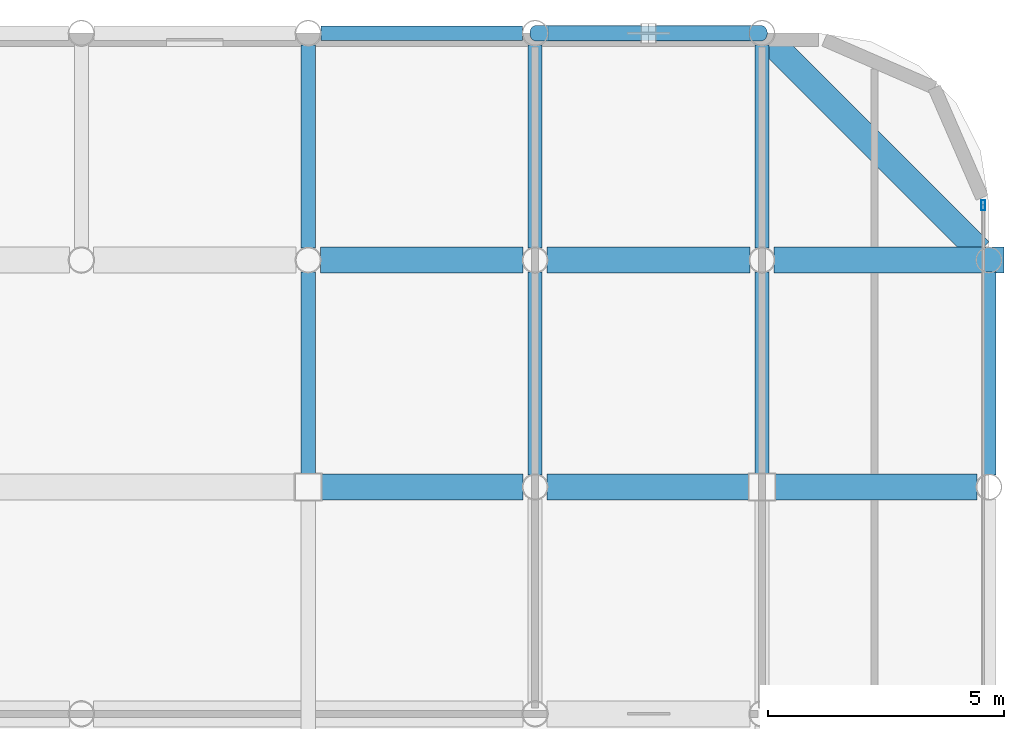
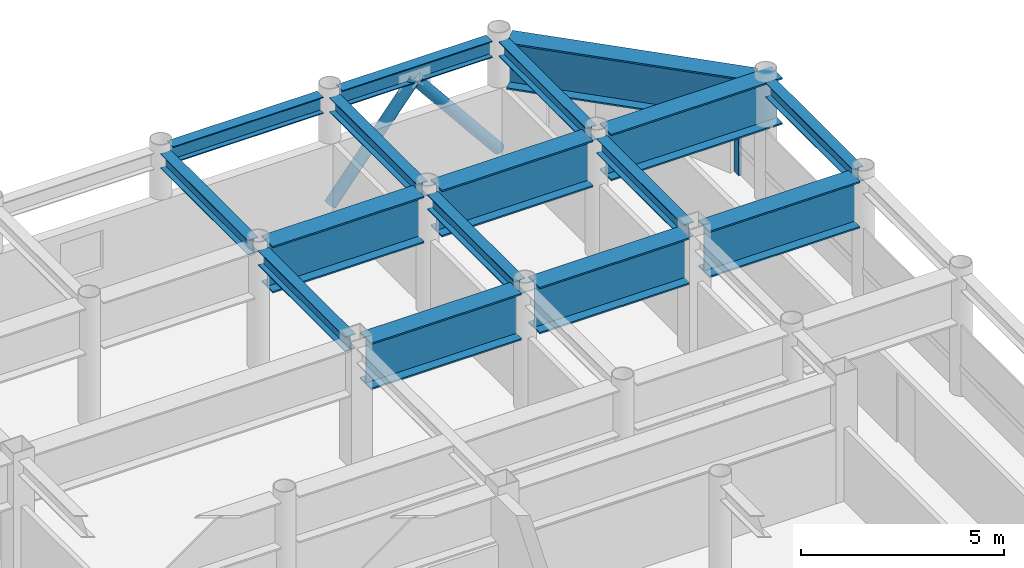
# One storey, part 16 of 21: 16 beams, 3 members, 1 element without a shape of its own.
"""IFC4 building model written with IfcOpenShell, lengths in metres."""

from ifc_helpers import new_model, si_unit, direction, frame, origin, origin_2d, place, context, subcontext, project, spatial, hollow_rectangle, hollow_circle, i_section, extrude, material, layer, layer_set, material_profile, profile_set, type_object, element, aggregate, save


model = new_model("IFC4")

# Units and contexts
model_context = context("Model", 3, precision=1e-05, world=origin(), true_north=direction((0.0, 1.0)))
body_context = subcontext(model_context, "Body", "Model", "MODEL_VIEW")
ifc_project = project(units=[si_unit("LENGTHUNIT", "METRE"), si_unit("AREAUNIT", "SQUARE_METRE"), si_unit("VOLUMEUNIT", "CUBIC_METRE"), si_unit("PLANEANGLEUNIT", "RADIAN"), si_unit("MASSUNIT", "GRAM", prefix="KILO")], contexts=[model_context])

# Site, building, storey
site_placement = place(None, origin())
site = spatial("IfcSite", under=ifc_project, at=site_placement, CompositionType="ELEMENT")
building_placement = place(site_placement, origin())
building = spatial("IfcBuilding", under=site, at=building_placement, Name="Kallvorn Hotel Tower", CompositionType="ELEMENT")
storey_placement = place(building_placement, frame((0.0, 0.0, 272.35009765625)))
storey = spatial("IfcBuildingStorey", under=building, at=storey_placement, Name="L68", CompositionType="ELEMENT", Elevation=272.35009765625)

# Beams
ifc_material_1 = material(Name="Structural steel S355JR", Category="steel")
ifc_material_profile_1 = material_profile(ifc_material_1, i_section(OverallWidth=0.300048828125, OverallDepth=0.43994140625, WebThickness=0.011474609375, FlangeThickness=0.02099609375, at=origin_2d()), Name="HE 450 A")
ifc_profile_set_1 = profile_set([ifc_material_profile_1], Name="Structural steel S355JR")
beam_type_1 = type_object("IfcBeamType", Name="BM_HE450A", PredefinedType="BEAM", material=ifc_profile_set_1)
beam_1_placement = place(storey_placement, frame((14.39990234375, 14.675048828125, 3.3798828125), z_axis=(0.0, 1.0, 0.0), x_axis=(-1.0, 0.0, 0.0)))
element("IfcBeam", 1, at=beam_1_placement, inside=storey, type_object=beam_type_1, Name="L69 Primary Y-Girder 125", PredefinedType="BEAM", context=body_context, shape_type="SweptSolid", body=[
    extrude(i_section(OverallWidth=0.300048828125, OverallDepth=0.43994140625, WebThickness=0.011474609375, FlangeThickness=0.02099609375, at=origin_2d()), origin(), (0.0, 0.0, 1.0), 4.2705078125),
])
for number, where, z_axis, x_axis, name in (
    (2, (14.39990234375, 19.45458984375, 3.3798828125), (0.0, 1.0, 0.0), (-1.0, 0.0, 0.0), "L69 Primary Y-Girder 126"),
    (3, (19.199951171875, 14.654541015625, 3.3798828125), (0.0, 1.0, 0.0), (-1.0, 0.0, 0.0), "L69 Primary Y-Girder 134"),
    (4, (19.199951171875, 19.45458984375, 3.3798828125), (0.0, 1.0, 0.0), (-1.0, 0.0, 0.0), "L69 Primary Y-Girder 135"),
):
    element("IfcBeam", number, at=place(storey_placement, frame(where, z_axis=z_axis, x_axis=x_axis)), inside=storey, type_object=beam_type_1, Name=name, PredefinedType="BEAM", context=body_context, shape_type="SweptSolid", body=[
        extrude(i_section(OverallWidth=0.300048828125, OverallDepth=0.43994140625, WebThickness=0.011474609375, FlangeThickness=0.02099609375, at=origin_2d()), origin(), (0.0, 0.0, 1.0), 4.291015625),
    ])
beam_2_placement = place(storey_placement, frame((24.0, 14.675048828125, 3.3798828125), z_axis=(0.0, 1.0, 0.0), x_axis=(-1.0, 0.0, 0.0)))
element("IfcBeam", 5, at=beam_2_placement, inside=storey, type_object=beam_type_1, Name="L69 Primary Y-Girder 141", PredefinedType="BEAM", context=body_context, shape_type="SweptSolid", body=[
    extrude(i_section(OverallWidth=0.300048828125, OverallDepth=0.43994140625, WebThickness=0.011474609375, FlangeThickness=0.02099609375, at=origin_2d()), origin(), (0.0, 0.0, 1.0), 4.2705078125),
])
for number, where, z_axis, x_axis, name in (
    (6, (24.0, 19.45458984375, 3.3798828125), (0.0, 1.0, 0.0), (-1.0, 0.0, 0.0), "L69 Primary Y-Girder 142"),
    (7, (28.800048828125, 14.654541015625, 3.3798828125), (0.0, 1.0, 0.0), (-1.0, 0.0, 0.0), "L69 Primary Y-Girder 150"),
):
    element("IfcBeam", number, at=place(storey_placement, frame(where, z_axis=z_axis, x_axis=x_axis)), inside=storey, type_object=beam_type_1, Name=name, PredefinedType="BEAM", context=body_context, shape_type="SweptSolid", body=[
        extrude(i_section(OverallWidth=0.300048828125, OverallDepth=0.43994140625, WebThickness=0.011474609375, FlangeThickness=0.02099609375, at=origin_2d()), origin(), (0.0, 0.0, 1.0), 4.291015625),
    ])
ifc_material_2 = material(Name="Structural steel S355JR", Category="steel")
ifc_material_profile_2 = material_profile(ifc_material_2, i_section(OverallWidth=0.300048828125, OverallDepth=0.5, WebThickness=0.014404296875, FlangeThickness=0.028076171875, at=origin_2d()), Name="HE 500 B")
ifc_profile_set_2 = profile_set([ifc_material_profile_2], Name="Structural steel S355JR")
beam_type_2 = type_object("IfcBeamType", Name="BM_HE500B", PredefinedType="SPANDREL", material=ifc_profile_set_2)
for number, where, z_axis, x_axis, name in (
    (8, (14.66943359375, 24.0, 3.349853515625), (1.0, 0.0, 0.0), (0.0, 1.0, 0.0), "L69 Perimeter Spandrel 172"),
    (9, (19.469482421875, 24.0, 3.349853515625), (1.0, 0.0, 0.0), (0.0, 1.0, 0.0), "L69 Perimeter Spandrel 173"),
):
    element("IfcBeam", number, at=place(storey_placement, frame(where, z_axis=z_axis, x_axis=x_axis)), inside=storey, type_object=beam_type_2, Name=name, PredefinedType="SPANDREL", context=body_context, shape_type="SweptSolid", body=[
        extrude(i_section(OverallWidth=0.300048828125, OverallDepth=0.5, WebThickness=0.014404296875, FlangeThickness=0.028076171875, at=origin_2d()), origin(), (0.0, 0.0, 1.0), 4.260986328125),
    ])
ifc_material_3 = material(Name="Structural steel S355JR", Category="steel")
ifc_material_profile_3 = material_profile(ifc_material_3, i_section(OverallWidth=0.550048828125, OverallDepth=1.39990234375, WebThickness=0.02490234375, FlangeThickness=0.044921875, at=origin_2d()), Name="PG 1400x550x25x45")
ifc_profile_set_3 = profile_set([ifc_material_profile_3], Name="Structural steel S355JR")
beam_type_3 = type_object("IfcBeamType", Name="BM_PG_1400", PredefinedType="BEAM", material=ifc_profile_set_3)
for number, where, z_axis, x_axis, name in (
    (10, (14.675048828125, 14.39990234375, 2.89990234375), (1.0, 0.0, 0.0), (0.0, 1.0, 0.0), "L69 Primary X-Girder 57"),
    (11, (19.45458984375, 14.39990234375, 2.89990234375), (1.0, 0.0, 0.0), (0.0, 1.0, 0.0), "L69 Primary X-Girder 58"),
    (12, (24.27490234375, 14.39990234375, 2.89990234375), (1.0, 0.0, 0.0), (0.0, 1.0, 0.0), "L69 Primary X-Girder 59"),
):
    element("IfcBeam", number, at=place(storey_placement, frame(where, z_axis=z_axis, x_axis=x_axis)), inside=storey, type_object=beam_type_3, Name=name, PredefinedType="BEAM", context=body_context, shape_type="SweptSolid", body=[
        extrude(i_section(OverallWidth=0.550048828125, OverallDepth=1.39990234375, WebThickness=0.02490234375, FlangeThickness=0.044921875, at=origin_2d()), origin(), (0.0, 0.0, 1.0), 4.2705078125),
    ])
for number, where, z_axis, x_axis, name in (
    (13, (14.654541015625, 19.199951171875, 2.89990234375), (1.0, 0.0, 0.0), (0.0, 1.0, 0.0), "L69 Primary X-Girder 70"),
    (14, (19.45458984375, 19.199951171875, 2.89990234375), (1.0, 0.0, 0.0), (0.0, 1.0, 0.0), "L69 Primary X-Girder 71"),
):
    element("IfcBeam", number, at=place(storey_placement, frame(where, z_axis=z_axis, x_axis=x_axis)), inside=storey, type_object=beam_type_3, Name=name, PredefinedType="BEAM", context=body_context, shape_type="SweptSolid", body=[
        extrude(i_section(OverallWidth=0.550048828125, OverallDepth=1.39990234375, WebThickness=0.02490234375, FlangeThickness=0.044921875, at=origin_2d()), origin(), (0.0, 0.0, 1.0), 4.291015625),
    ])
beam_3_placement = place(storey_placement, frame((24.25439453125, 19.199951171875, 2.89990234375), z_axis=(1.0, 0.0, 0.0), x_axis=(0.0, 1.0, 0.0)))
element("IfcBeam", 15, at=beam_3_placement, inside=storey, type_object=beam_type_3, Name="L69 Primary X-Girder 72", PredefinedType="BEAM", context=body_context, shape_type="SweptSolid", body=[
    extrude(i_section(OverallWidth=0.550048828125, OverallDepth=1.39990234375, WebThickness=0.02490234375, FlangeThickness=0.044921875, at=origin_2d()), origin(), (0.0, 0.0, 1.0), 4.86572265625),
])
beam_4_placement = place(storey_placement, frame((28.609375, 19.390625, 2.89990234375), z_axis=(-0.707106781187, 0.707106781187, 0.0), x_axis=(-0.707106781187, -0.707106781187, 0.0)))
element("IfcBeam", 16, at=beam_4_placement, inside=storey, type_object=beam_type_3, Name="L69 Rounded Corner Tie Beam 191", PredefinedType="BEAM", context=body_context, shape_type="SweptSolid", body=[
    extrude(i_section(OverallWidth=0.550048828125, OverallDepth=1.39990234375, WebThickness=0.02490234375, FlangeThickness=0.044921875, at=origin_2d()), origin(), (0.0, 0.0, 1.0), 6.2490234375),
])

# Curtain wall, member
ifc_material_4 = material(Name="Thermally broken black-anodised aluminium AA 6063-T6", Category="aluminium")
ifc_layer = layer(ifc_material_4, 0.22998046875)
ifc_layer_set = layer_set([ifc_layer], Name="CW_SYS_5_HOTEL_HIGH")
curtain_wall_type = type_object("IfcCurtainWallType", Name="CW_SYS_5_HOTEL_HIGH", PredefinedType="USERDEFINED", material=ifc_layer_set)
curtain_wall_placement = place(storey_placement, origin())
curtain_wall = element("IfcCurtainWall", 17, at=curtain_wall_placement, inside=storey, type_object=curtain_wall_type, Name="L68 Dark-Glass Curtain Wall CW-L68-EN", ObjectType="UNITISED CURTAIN WALL", PredefinedType="USERDEFINED")
ifc_material_5 = material(Name="Thermally broken black-anodised aluminium AA 6063-T6", Category="aluminium")
ifc_material_profile_4 = material_profile(ifc_material_5, hollow_rectangle(XDim=0.080078125, YDim=0.219970703125, WallThickness=0.0048828125, at=origin_2d()), Name="MUL 220x80")
ifc_profile_set_4 = profile_set([ifc_material_profile_4], Name="Thermally broken black-anodised aluminium AA 6063-T6")
member_type_1 = type_object("IfcMemberType", Name="CW_MULLION_220x80", PredefinedType="MULLION", material=ifc_profile_set_4)
member_placement = place(storey_placement, frame((28.679931640625, 20.360107421875, 0.02001953125), z_axis=(0.0, 0.0, 1.0), x_axis=(1.0, 0.0, 0.0)))
member = element("IfcMember", 18, at=member_placement, type_object=member_type_1, Name="CW-L68-EN Mullion 01", PredefinedType="MULLION", context=body_context, shape_type="SweptSolid", body=[
    extrude(hollow_rectangle(XDim=0.080078125, YDim=0.219970703125, WallThickness=0.0048828125, at=origin_2d()), origin(), (0.0, 0.0, 1.0), 2.159912109375),
])
aggregate(curtain_wall, [member])

# Members
ifc_material_6 = material(Name="Structural steel S355J2H", Category="steel")
ifc_material_profile_5 = material_profile(ifc_material_6, hollow_circle(Radius=0.161865234375, WallThickness=0.012451171875, at=origin_2d()), Name="CHS 323.9x12.5")
ifc_profile_set_5 = profile_set([ifc_material_profile_5], Name="Structural steel S355J2H")
member_type_2 = type_object("IfcMemberType", Name="MBR_EXO_CHS323", PredefinedType="BRACE", material=ifc_profile_set_5)
for number, where, z_axis, x_axis, name in (
    (19, (19.212646484375, 24.0, 0.1953125), (0.629758671556, 0.0, 0.776790844179), (0.0, 1.0, 0.0), "L68 Exoskeleton K-Brace N2A"),
    (20, (23.9873046875, 24.0, 0.1953125), (-0.629758671556, 0.0, 0.776790844179), (0.0, -1.0, 0.0), "L68 Exoskeleton K-Brace N2B"),
):
    element("IfcMember", number, at=place(storey_placement, frame(where, z_axis=z_axis, x_axis=x_axis)), inside=storey, type_object=member_type_2, Name=name, PredefinedType="BRACE", context=body_context, shape_type="SweptSolid", body=[
        extrude(hollow_circle(Radius=0.161865234375, WallThickness=0.012451171875, at=origin_2d()), origin(), (0.0, 0.0, 1.0), 3.77099609375),
    ])

save(model, "model.ifc")
